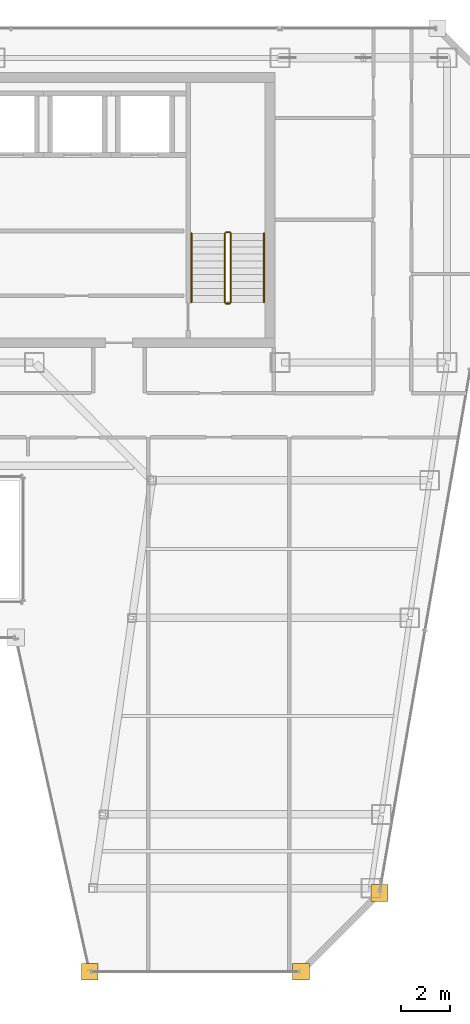
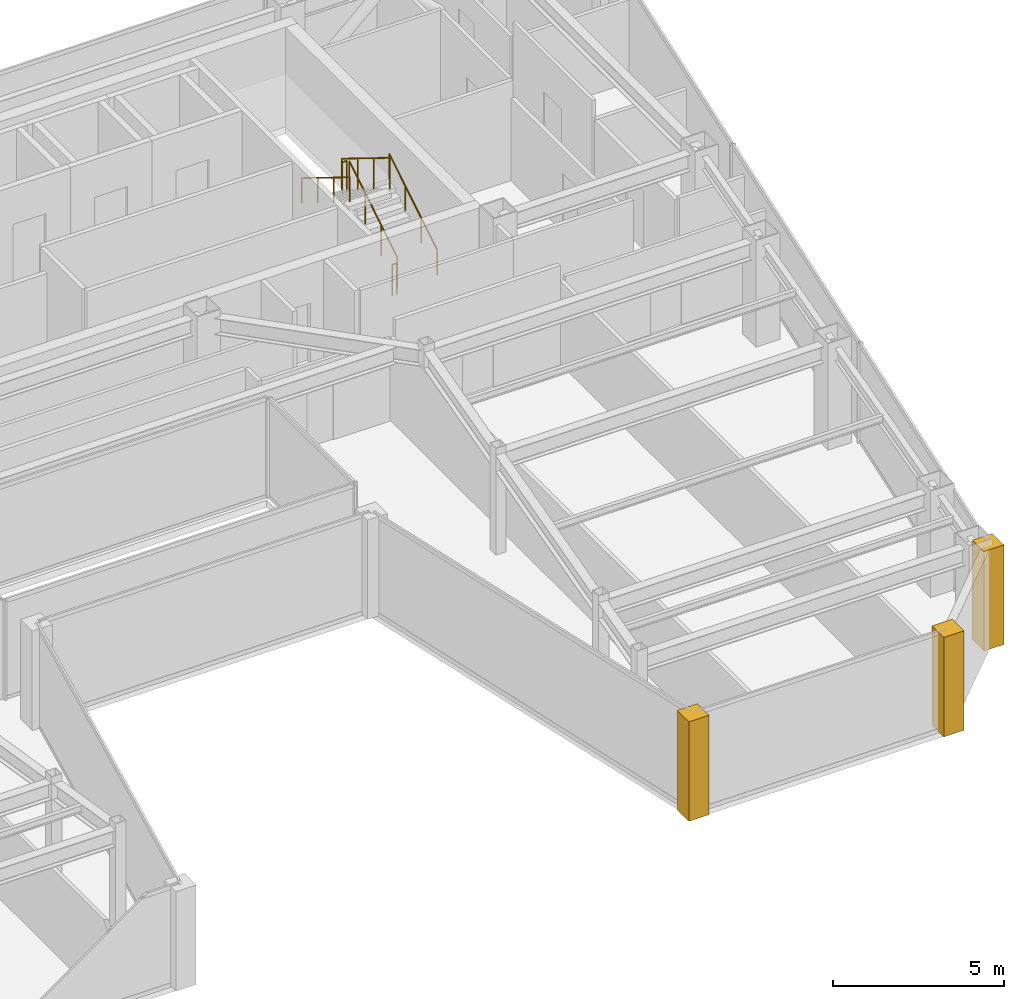
# One storey, part 31 of 32: 6 railings, 3 coverings.
"""IFC4 building model written with IfcOpenShell, lengths in metres."""

import ifcopenshell
import ifcopenshell.guid

model = None  # the IFC model being written
_history = None  # IfcOwnerHistory: only IFC2X3 demands one
_inside = {}  # id of a spatial element -> (the spatial element, [elements in it])
_under = {}  # id of a project, library or spatial element -> (it, [spatial elements below it])
_declared = {}  # id of a project -> (the project, [libraries it declares])
_typed = {}  # id of a type object -> (the type object, [elements of that type])
_made_of = {}  # id of a material, layer set ... -> (it, [elements and type objects made of it])


def new_model(schema):
    """Start an empty IFC model of exactly this schema.

    Asked for "IFC4X3", IfcOpenShell would pick the latest addendum, in which some entities
    have other attributes; the version numbers below select the first issue.
    IFC2X3 requires an IfcOwnerHistory on every rooted entity: one is made here for all.
    """
    global model, _history
    if schema == "IFC4X3":
        model = ifcopenshell.file(schema_version=(4, 3, 0, 0))
    else:
        model = ifcopenshell.file(schema=schema)
    _inside.clear()
    _under.clear()
    _declared.clear()
    _typed.clear()
    _made_of.clear()
    _history = None
    if model.schema == "IFC2X3":
        org = make("IfcOrganization", Name="unknown")
        user = make(
            "IfcPersonAndOrganization",
            ThePerson=make("IfcPerson", FamilyName="unknown"),
            TheOrganization=org,
        )
        app = make(
            "IfcApplication",
            ApplicationDeveloper=org,
            Version="unknown",
            ApplicationFullName="unknown",
            ApplicationIdentifier="unknown",
        )
        _history = make(
            "IfcOwnerHistory",
            OwningUser=user,
            OwningApplication=app,
            ChangeAction="ADDED",
            CreationDate=0,
        )
    return model


def make(cls, **values):
    """One entity of the class cls with the attributes given. An attribute that is None is left unset."""
    return model.create_entity(
        cls, **{name: value for name, value in values.items() if value is not None}
    )


def rooted(cls, **values):
    """An entity with a GlobalId (a new one), such as an element, a storey or a relation."""
    return make(cls, GlobalId=ifcopenshell.guid.new(), OwnerHistory=_history, **values)


def si_unit(unit_type, name, prefix=None):
    """IfcSIUnit, for example si_unit("LENGTHUNIT", "METRE", prefix="MILLI")."""
    return make("IfcSIUnit", UnitType=unit_type, Prefix=prefix, Name=name)


def assignment(units):
    """IfcUnitAssignment: the units of a project."""
    return None if units is None else make("IfcUnitAssignment", Units=units)


def point(xyz):
    """IfcCartesianPoint."""
    return None if xyz is None else make("IfcCartesianPoint", Coordinates=xyz)


def direction(xyz):
    """IfcDirection."""
    return None if xyz is None else make("IfcDirection", DirectionRatios=xyz)


def frame(location, z_axis=None, x_axis=None):
    """IfcAxis2Placement3D, a coordinate frame: its origin and axes. An axis left out is left unset."""
    return make(
        "IfcAxis2Placement3D",
        Location=point(location),
        Axis=direction(z_axis),
        RefDirection=direction(x_axis),
    )


def frame_2d(location, x_axis=None):
    """IfcAxis2Placement2D, a coordinate frame in the plane: its origin and x axis."""
    return make(
        "IfcAxis2Placement2D", Location=point(location), RefDirection=direction(x_axis)
    )


def origin():
    """The frame at (0, 0, 0) with its axes left unset."""
    return frame((0.0, 0.0, 0.0))


def origin_2d():
    """The frame at (0, 0) in the plane with its x axis left unset."""
    return frame_2d((0.0, 0.0))


def place(relative_to, where):
    """IfcLocalPlacement: puts the frame where relative to a parent placement (None: the world)."""
    return make(
        "IfcLocalPlacement", PlacementRelTo=relative_to, RelativePlacement=where
    )


def context(
    kind, dimensions, precision=None, world=None, true_north=None, identifier=None
):
    """IfcGeometricRepresentationContext, for example the 3D "Model" context."""
    return make(
        "IfcGeometricRepresentationContext",
        ContextIdentifier=identifier,
        ContextType=kind,
        CoordinateSpaceDimension=dimensions,
        Precision=precision,
        WorldCoordinateSystem=world,
        TrueNorth=true_north,
    )


def subcontext(parent, identifier, kind, view, scale=None):
    """IfcGeometricRepresentationSubContext, for example "Body" below "Model"."""
    return make(
        "IfcGeometricRepresentationSubContext",
        ContextIdentifier=identifier,
        ContextType=kind,
        ParentContext=parent,
        TargetScale=scale,
        TargetView=view,
    )


def project(units=None, contexts=None):
    """IfcProject with its units and contexts."""
    return rooted(
        "IfcProject",
        Name="project",
        RepresentationContexts=contexts,
        UnitsInContext=assignment(units),
    )


def spatial(cls, under=None, at=None, **own):
    """A site, building, storey or space (cls), placed at a placement, below another one or the project."""
    s = rooted(cls, ObjectPlacement=at, **own)
    if under is not None:
        _under.setdefault(under.id(), (under, []))[1].append(s)
    return s


def polyline(points):
    """IfcPolyline through the points."""
    return make("IfcPolyline", Points=[point(p) for p in points])


def profile(cls, at=None, kind="AREA", **sizes):
    """A parametric profile (cls). Its sizes go by their IFC names, for example OverallWidth=200.0."""
    return make(cls, ProfileType=kind, Position=at, **sizes)


def circle(**sizes):
    """IfcCircleProfileDef."""
    return profile("IfcCircleProfileDef", **sizes)


def outline(outer, holes=None, kind="AREA"):
    """IfcArbitraryClosedProfileDef: a profile drawn as a closed curve; with holes, ...WithVoids."""
    if holes is None:
        return make("IfcArbitraryClosedProfileDef", ProfileType=kind, OuterCurve=outer)
    return make(
        "IfcArbitraryProfileDefWithVoids",
        ProfileType=kind,
        OuterCurve=outer,
        InnerCurves=holes,
    )


def extrude(swept, where, along, depth):
    """IfcExtrudedAreaSolid: the profile swept, set in the frame where, extruded along a direction by depth."""
    return make(
        "IfcExtrudedAreaSolid",
        SweptArea=swept,
        Position=where,
        ExtrudedDirection=direction(along),
        Depth=depth,
    )


def shape(context_of_items, identifier, shape_type, items):
    """IfcShapeRepresentation: the items that make up one representation, for example the "Body"."""
    return make(
        "IfcShapeRepresentation",
        ContextOfItems=context_of_items,
        RepresentationIdentifier=identifier,
        RepresentationType=shape_type,
        Items=items,
    )


def material(Name=None, Category=None):
    """IfcMaterial."""
    return make("IfcMaterial", Name=Name, Category=Category)


def layer(
    of_material, thickness, ventilated=None, Name=None, Category=None, Priority=None
):
    """IfcMaterialLayer: one layer of a wall or slab, of a material (None: an air gap)."""
    return make(
        "IfcMaterialLayer",
        Material=of_material,
        LayerThickness=thickness,
        IsVentilated=ventilated,
        Name=Name,
        Category=Category,
        Priority=Priority,
    )


def layer_set(layers, Name=None):
    """IfcMaterialLayerSet."""
    return make("IfcMaterialLayerSet", MaterialLayers=layers, LayerSetName=Name)


def made_of(thing, what):
    """Note that an element or type object is made of a material, layer set ...; save() writes the relation."""
    if what is not None:
        _made_of.setdefault(what.id(), (what, []))[1].append(thing)
    return thing


def type_object(cls, material=None, **own):
    """A type object (cls), such as IfcWallType, which elements share."""
    return made_of(rooted(cls, **own), material)


def element(
    cls,
    number,
    at=None,
    inside=None,
    cuts=None,
    type_object=None,
    material=None,
    context=None,
    identifier="Body",
    shape_type=None,
    held_by="IfcProductDefinitionShape",
    body=None,
    shapes=None,
    **own,
):
    """One element of the class cls, such as IfcWall. Its Tag is "e" and its number.

    at: its placement. inside: the storey or other place that contains it. cuts: it is an
    opening in that element (IfcRelVoidsElement). A single representation is given by context,
    identifier, shape_type and body (its items); several are given by shapes. held_by: the class
    of the entity that holds the representations. save() writes the other relations.
    """
    e = rooted(cls, Tag="e%d" % number, ObjectPlacement=at, **own)
    if body is not None:
        shapes = [shape(context, identifier, shape_type, body)]
    if shapes is not None:
        e.Representation = make(held_by, Representations=shapes)
    if inside is not None:
        _inside.setdefault(inside.id(), (inside, []))[1].append(e)
    if cuts is not None:
        rooted(
            "IfcRelVoidsElement", RelatingBuildingElement=cuts, RelatedOpeningElement=e
        )
    if type_object is not None:
        _typed.setdefault(type_object.id(), (type_object, []))[1].append(e)
    return made_of(e, material)


def aggregate(whole, parts):
    """IfcRelAggregates: a whole, such as a stair, and the parts it consists of."""
    return rooted("IfcRelAggregates", RelatingObject=whole, RelatedObjects=parts)


def save(model, path):
    """Write the relations noted so far, then the file.

    IfcRelAggregates (storeys below a building ...), IfcRelContainedInSpatialStructure (elements
    in a storey), IfcRelDefinesByType, IfcRelAssociatesMaterial and IfcRelDeclares: one each for
    every whole, place, type object, material and project.
    """
    for whole, parts in _under.values():
        aggregate(whole, parts)
    for where, things in _inside.values():
        rooted(
            "IfcRelContainedInSpatialStructure",
            RelatedElements=things,
            RelatingStructure=where,
        )
    for kind, things in _typed.values():
        rooted("IfcRelDefinesByType", RelatedObjects=things, RelatingType=kind)
    for what, things in _made_of.values():
        rooted("IfcRelAssociatesMaterial", RelatedObjects=things, RelatingMaterial=what)
    for by, libraries in _declared.values():
        rooted("IfcRelDeclares", RelatingContext=by, RelatedDefinitions=libraries)
    model.write(path)


model = new_model("IFC4")

# Units and contexts
model_context = context("Model", 3, precision=1e-05, world=origin(), true_north=direction((0.0, 1.0)))
body_context = subcontext(model_context, "Body", "Model", "MODEL_VIEW")
ifc_project = project(units=[si_unit("LENGTHUNIT", "METRE"), si_unit("AREAUNIT", "SQUARE_METRE"), si_unit("VOLUMEUNIT", "CUBIC_METRE"), si_unit("PLANEANGLEUNIT", "RADIAN"), si_unit("MASSUNIT", "GRAM", prefix="KILO")], contexts=[model_context])

# Site, building, storey
site_placement = place(None, origin())
site = spatial("IfcSite", under=ifc_project, at=site_placement, CompositionType="ELEMENT")
building_placement = place(site_placement, origin())
building = spatial("IfcBuilding", under=site, at=building_placement, Name="Saevonmaru Cultural Tower", CompositionType="ELEMENT")
storey_placement = place(building_placement, frame((0.0, 0.0, 245.800048828125)))
storey = spatial("IfcBuildingStorey", under=building, at=storey_placement, Name="L57", CompositionType="ELEMENT", Elevation=245.800048828125)

# Coverings
ifc_material_1 = material(Name="Satin Bronze Anodised Aluminium", Category="aluminium")
ifc_layer = layer(ifc_material_1, 0.679931640625, Name="Satin Bronze Anodised Aluminium")
ifc_layer_set = layer_set([ifc_layer], Name="Satin Bronze Anodised Aluminium")
covering_type = type_object("IfcCoveringType", Name="CV-CORNER-CLAD", PredefinedType="CLADDING", material=ifc_layer_set)
covering_1_placement = place(storey_placement, origin())
element("IfcCovering", 1, at=covering_1_placement, inside=storey, type_object=covering_type, Name="L57 Tower Bronze Corner Cladding Pier 6", PredefinedType="CLADDING", context=body_context, shape_type="SweptSolid", body=[
    extrude(outline(polyline([(38.31298828125, 17.260009765625), (38.992919921875, 17.260009765625), (38.992919921875, 17.93994140625), (38.31298828125, 17.93994140625), (38.31298828125, 17.260009765625)])), origin(), (0.0, 0.0, 1.0), 3.550048828125),
])
covering_2_placement = place(storey_placement, origin())
element("IfcCovering", 2, at=covering_2_placement, inside=storey, type_object=covering_type, Name="L57 Tower Bronze Corner Cladding Pier 7", PredefinedType="CLADDING", context=body_context, shape_type="SweptSolid", body=[
    extrude(outline(polyline([(46.9130859375, 17.260009765625), (47.593017578125, 17.260009765625), (47.593017578125, 17.93994140625), (46.9130859375, 17.93994140625), (46.9130859375, 17.260009765625)])), origin(), (0.0, 0.0, 1.0), 3.550048828125),
])
covering_3_placement = place(storey_placement, origin())
element("IfcCovering", 3, at=covering_3_placement, inside=storey, type_object=covering_type, Name="L57 Tower Bronze Corner Cladding Pier 8", PredefinedType="CLADDING", context=body_context, shape_type="SweptSolid", body=[
    extrude(outline(polyline([(50.113037109375, 20.4599609375), (50.79296875, 20.4599609375), (50.79296875, 21.139892578125), (50.113037109375, 21.139892578125), (50.113037109375, 20.4599609375)])), origin(), (0.0, 0.0, 1.0), 3.550048828125),
])

# Railings
ifc_material_2 = material(Name="Architectural Painted Steel", Category="steel")
railing_type_1 = type_object("IfcRailingType", Name="RL-STAIR-GUARD", PredefinedType="GUARDRAIL", material=ifc_material_2)
railing_1_placement = place(storey_placement, frame((44.39990234375, 44.85009765625, 0.172607421875)))
element("IfcRailing", 4, at=railing_1_placement, inside=storey, type_object=railing_type_1, Name="L57 ST-2 stair guard 1", PredefinedType="GUARDRAIL", context=body_context, shape_type="SweptSolid", body=[
    extrude(circle(Radius=0.02392578125, at=origin_2d()), frame((0.0, 0.0, 1.09619140625), z_axis=(0.0, 0.851069175582, 0.525053576669), x_axis=(-1.0, 0.0, 0.0)), (0.0, 0.0, 1.0), 3.289794921875),
    extrude(circle(Radius=0.02099609375, at=origin_2d()), origin(), (0.0, 0.0, 1.0), 1.072021484375),
    extrude(circle(Radius=0.02099609375, at=origin_2d()), frame((0.0, 0.933349609375, 0.57568359375)), (0.0, 0.0, 1.0), 1.072021484375),
    extrude(circle(Radius=0.02099609375, at=origin_2d()), frame((0.0, 1.866455078125, 1.151611328125)), (0.0, 0.0, 1.0), 1.072021484375),
    extrude(circle(Radius=0.02099609375, at=origin_2d()), frame((0.0, 2.7998046875, 1.727294921875)), (0.0, 0.0, 1.0), 1.072021484375),
])
railing_2_placement = place(storey_placement, frame((44.35009765625, 47.699951171875, 1.89990234375)))
element("IfcRailing", 5, at=railing_2_placement, inside=storey, type_object=railing_type_1, Name="L57 ST-2 stair guard 2", PredefinedType="GUARDRAIL", context=body_context, shape_type="SweptSolid", body=[
    extrude(circle(Radius=0.02392578125, at=origin_2d()), frame((0.0, 0.0, 1.09619140625), z_axis=(-1.0, 0.0, 0.0), x_axis=(0.0, -1.0, 0.0)), (0.0, 0.0, 1.0), 0.150146484375),
    extrude(circle(Radius=0.02099609375, at=origin_2d()), origin(), (0.0, 0.0, 1.0), 1.072021484375),
    extrude(circle(Radius=0.02099609375, at=origin_2d()), frame((-0.150146484375, 0.0, 0.0)), (0.0, 0.0, 1.0), 1.072021484375),
])
railing_3_placement = place(storey_placement, frame((44.14990234375, 47.64990234375, 2.07275390625)))
element("IfcRailing", 6, at=railing_3_placement, inside=storey, type_object=railing_type_1, Name="L57 ST-2 stair guard 3", PredefinedType="GUARDRAIL", context=body_context, shape_type="SweptSolid", body=[
    extrude(circle(Radius=0.02392578125, at=origin_2d()), frame((0.0, 0.0, 1.09619140625), z_axis=(0.0, -0.851069175582, 0.525053576669), x_axis=(1.0, 0.0, 0.0)), (0.0, 0.0, 1.0), 3.289794921875),
    extrude(circle(Radius=0.02099609375, at=origin_2d()), origin(), (0.0, 0.0, 1.0), 1.072021484375),
    extrude(circle(Radius=0.02099609375, at=origin_2d()), frame((0.0, -0.933349609375, 0.57568359375)), (0.0, 0.0, 1.0), 1.072021484375),
    extrude(circle(Radius=0.02099609375, at=origin_2d()), frame((0.0, -1.866455078125, 1.151611328125)), (0.0, 0.0, 1.0), 1.072021484375),
    extrude(circle(Radius=0.02099609375, at=origin_2d()), frame((0.0, -2.7998046875, 1.727294921875)), (0.0, 0.0, 1.0), 1.072021484375),
])
railing_4_placement = place(storey_placement, frame((44.35009765625, 44.800048828125, 0.0)))
element("IfcRailing", 7, at=railing_4_placement, inside=storey, type_object=railing_type_1, Name="L57 ST-2 stair guard 4", PredefinedType="GUARDRAIL", context=body_context, shape_type="SweptSolid", body=[
    extrude(circle(Radius=0.02392578125, at=origin_2d()), frame((0.0, 0.0, 1.09619140625), z_axis=(-1.0, 0.0, 0.0), x_axis=(0.0, -1.0, 0.0)), (0.0, 0.0, 1.0), 0.150146484375),
    extrude(circle(Radius=0.02099609375, at=origin_2d()), origin(), (0.0, 0.0, 1.0), 1.072021484375),
    extrude(circle(Radius=0.02099609375, at=origin_2d()), frame((-0.150146484375, 0.0, 0.0)), (0.0, 0.0, 1.0), 1.072021484375),
])
railing_type_2 = type_object("IfcRailingType", Name="RL-STAIR-HANDRAIL", PredefinedType="HANDRAIL", material=ifc_material_1)
railing_5_placement = place(storey_placement, frame((45.75, 44.85009765625, 0.172607421875)))
element("IfcRailing", 8, at=railing_5_placement, inside=storey, type_object=railing_type_2, Name="L57 ST-2 stair handrail 1", PredefinedType="HANDRAIL", context=body_context, shape_type="SweptSolid", body=[
    extrude(circle(Radius=0.02392578125, at=origin_2d()), frame((0.0, 0.0, 0.8759765625), z_axis=(0.0, 0.851069175582, 0.525053576669), x_axis=(-1.0, 0.0, 0.0)), (0.0, 0.0, 1.0), 3.289794921875),
    extrude(circle(Radius=0.02099609375, at=origin_2d()), origin(), (0.0, 0.0, 1.0), 0.851806640625),
    extrude(circle(Radius=0.02099609375, at=origin_2d()), frame((0.0, 0.933349609375, 0.57568359375)), (0.0, 0.0, 1.0), 0.851806640625),
    extrude(circle(Radius=0.02099609375, at=origin_2d()), frame((0.0, 1.866455078125, 1.151611328125)), (0.0, 0.0, 1.0), 0.851806640625),
    extrude(circle(Radius=0.02099609375, at=origin_2d()), frame((0.0, 2.7998046875, 1.727294921875)), (0.0, 0.0, 1.0), 0.851806640625),
])
railing_6_placement = place(storey_placement, frame((42.800048828125, 47.64990234375, 2.07275390625)))
element("IfcRailing", 9, at=railing_6_placement, inside=storey, type_object=railing_type_2, Name="L57 ST-2 stair handrail 2", PredefinedType="HANDRAIL", context=body_context, shape_type="SweptSolid", body=[
    extrude(circle(Radius=0.02392578125, at=origin_2d()), frame((0.0, 0.0, 0.8759765625), z_axis=(0.0, -0.851069175582, 0.525053576669), x_axis=(1.0, 0.0, 0.0)), (0.0, 0.0, 1.0), 3.289794921875),
    extrude(circle(Radius=0.02099609375, at=origin_2d()), origin(), (0.0, 0.0, 1.0), 0.851806640625),
    extrude(circle(Radius=0.02099609375, at=origin_2d()), frame((0.0, -0.933349609375, 0.57568359375)), (0.0, 0.0, 1.0), 0.851806640625),
    extrude(circle(Radius=0.02099609375, at=origin_2d()), frame((0.0, -1.866455078125, 1.151611328125)), (0.0, 0.0, 1.0), 0.851806640625),
    extrude(circle(Radius=0.02099609375, at=origin_2d()), frame((0.0, -2.7998046875, 1.727294921875)), (0.0, 0.0, 1.0), 0.851806640625),
])

save(model, "model.ifc")
